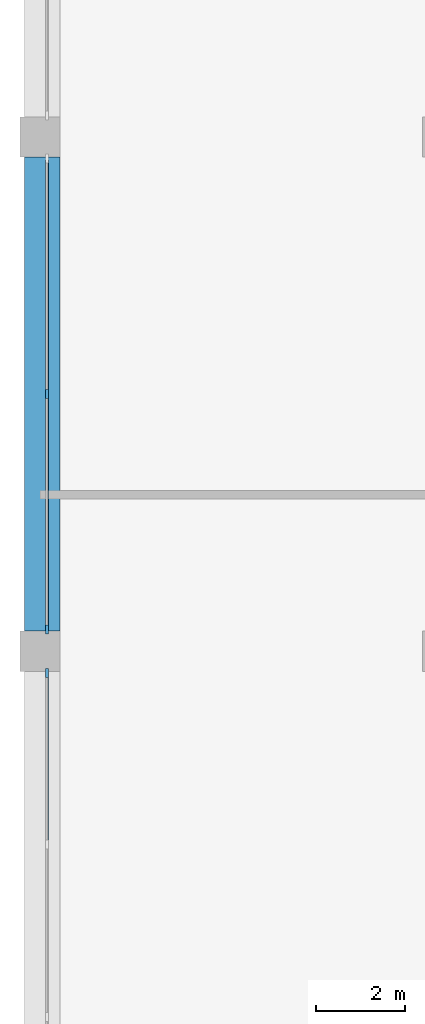
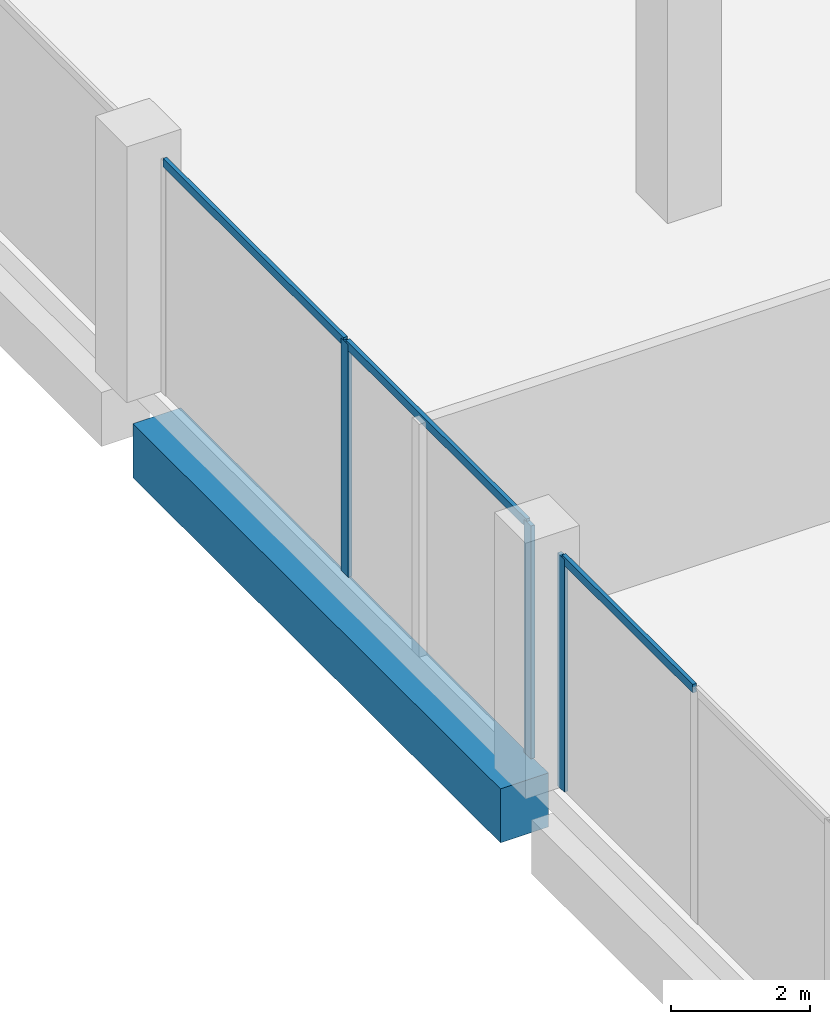
# One storey, part 4 of 22: 6 members, 1 beam, 2 elements without a shape of their own.
"""IFC4 building model written with IfcOpenShell, lengths in metres."""

from ifc_helpers import new_model, si_unit, direction, frame, origin, origin_2d, place, context, subcontext, project, spatial, rectangle, extrude, material, layer, layer_set, material_profile, profile_set, type_object, element, aggregate, save


model = new_model("IFC4")

# Units and contexts
model_context = context("Model", 3, precision=1e-05, world=origin(), true_north=direction((0.0, 1.0)))
body_context = subcontext(model_context, "Body", "Model", "MODEL_VIEW")
ifc_project = project(units=[si_unit("LENGTHUNIT", "METRE"), si_unit("AREAUNIT", "SQUARE_METRE"), si_unit("VOLUMEUNIT", "CUBIC_METRE"), si_unit("PLANEANGLEUNIT", "RADIAN"), si_unit("MASSUNIT", "GRAM", prefix="KILO")], contexts=[model_context])

# Site, building, storey
site_placement = place(None, origin())
site = spatial("IfcSite", under=ifc_project, at=site_placement, CompositionType="ELEMENT")
building_placement = place(site_placement, origin())
building = spatial("IfcBuilding", under=site, at=building_placement, Name="Brigalow Station Residences", CompositionType="ELEMENT")
storey_placement = place(building_placement, frame((0.0, 0.0, 6.5)))
storey = spatial("IfcBuildingStorey", under=building, at=storey_placement, Name="L01", CompositionType="ELEMENT", Elevation=6.5)

# Beam
ifc_material_1 = material(Name="Concrete C65", Category="concrete")
ifc_material_profile_1 = material_profile(ifc_material_1, rectangle(XDim=0.800048828125, YDim=0.949951171875, at=origin_2d()), Name="RC800x950")
ifc_profile_set_1 = profile_set([ifc_material_profile_1], Name="Concrete C65")
beam_type = type_object("IfcBeamType", Name="EDGE GIRDER OVER 9.9 M SPAN 800x950 C65", PredefinedType="BEAM", material=ifc_profile_set_1)
beam_placement = place(storey_placement, frame((-17.949951171875, 12.949951171875, -0.876953125), z_axis=(0.0, 1.0, 0.0), x_axis=(-1.0, 0.0, 0.0)))
element("IfcBeam", 1, at=beam_placement, inside=storey, type_object=beam_type, Name="PODIUM EDGE GIRDER W33 L01", PredefinedType="BEAM", context=body_context, shape_type="SweptSolid", body=[
    extrude(rectangle(XDim=0.800048828125, YDim=0.949951171875, at=origin_2d()), origin(), (0.0, 0.0, 1.0), 10.60009765625),
])

# Curtain wall, members
ifc_material_2 = material(Name="Aluminium", Category="aluminium")
ifc_layer = layer(ifc_material_2, 0.199951171875)
ifc_layer_set = layer_set([ifc_layer], Name="PODIUM UNITISED GLAZING CURTAIN WALL")
curtain_wall_type = type_object("IfcCurtainWallType", Name="PODIUM UNITISED GLAZING CURTAIN WALL", PredefinedType="NOTDEFINED", material=ifc_layer_set)
curtain_wall_1_placement = place(storey_placement, origin())
curtain_wall_1 = element("IfcCurtainWall", 2, at=curtain_wall_1_placement, inside=storey, type_object=curtain_wall_type, Name="L01/cw/podium-W-L01-31-20", PredefinedType="NOTDEFINED")
ifc_material_3 = material(Name="Aluminium", Category="aluminium")
ifc_material_profile_2 = material_profile(ifc_material_3, rectangle(XDim=0.06494140625, YDim=0.199951171875, at=origin_2d()), Name="PODIUM UNITISED GLAZING MULLION 65x200")
ifc_profile_set_2 = profile_set([ifc_material_profile_2], Name="Aluminium")
member_type_1 = type_object("IfcMemberType", Name="PODIUM UNITISED GLAZING MULLION 65x200", PredefinedType="MULLION", material=ifc_profile_set_2)
member_1_placement = place(storey_placement, frame((-17.85009765625, 18.25, 0.0), z_axis=(0.0, 0.0, 1.0), x_axis=(1.0, 0.0, 0.0)))
member_1 = element("IfcMember", 3, at=member_1_placement, type_object=member_type_1, Name="L01/cw/podium-W-L01-31-20/M01", PredefinedType="MULLION", context=body_context, shape_type="SweptSolid", body=[
    extrude(rectangle(XDim=0.06494140625, YDim=0.199951171875, at=origin_2d()), origin(), (0.0, 0.0, 1.0), 4.097900390625),
])
member_2_placement = place(storey_placement, frame((-17.85009765625, 12.982421875, 0.0), z_axis=(0.0, 0.0, 1.0), x_axis=(1.0, 0.0, 0.0)))
member_2 = element("IfcMember", 4, at=member_2_placement, type_object=member_type_1, Name="L01/cw/podium-W-L01-31-20/M02", PredefinedType="MULLION", context=body_context, shape_type="SweptSolid", body=[
    extrude(rectangle(XDim=0.06494140625, YDim=0.199951171875, at=origin_2d()), origin(), (0.0, 0.0, 1.0), 4.097900390625),
])

# Curtain wall, member
curtain_wall_2_placement = place(storey_placement, origin())
curtain_wall_2 = element("IfcCurtainWall", 5, at=curtain_wall_2_placement, inside=storey, type_object=curtain_wall_type, Name="L01/cw/podium-W-L01-31-21", PredefinedType="NOTDEFINED")
member_3_placement = place(storey_placement, frame((-17.85009765625, 12.017578125, 0.0), z_axis=(0.0, 0.0, 1.0), x_axis=(1.0, 0.0, 0.0)))
member_3 = element("IfcMember", 6, at=member_3_placement, type_object=member_type_1, Name="L01/cw/podium-W-L01-31-21/M00", PredefinedType="MULLION", context=body_context, shape_type="SweptSolid", body=[
    extrude(rectangle(XDim=0.06494140625, YDim=0.199951171875, at=origin_2d()), origin(), (0.0, 0.0, 1.0), 4.097900390625),
])

# Member
ifc_material_4 = material(Name="Aluminium", Category="aluminium")
ifc_material_profile_3 = material_profile(ifc_material_4, rectangle(XDim=0.06494140625, YDim=0.14990234375, at=origin_2d()), Name="PODIUM UNITISED GLAZING TRANSOM 65x150")
ifc_profile_set_3 = profile_set([ifc_material_profile_3], Name="Aluminium")
member_type_2 = type_object("IfcMemberType", Name="PODIUM UNITISED GLAZING TRANSOM 65x150", PredefinedType="USERDEFINED", material=ifc_profile_set_3)
member_4_placement = place(storey_placement, frame((-17.85009765625, 23.485107421875, 4.0654296875), z_axis=(0.0, -1.0, 0.0), x_axis=(1.0, 0.0, 0.0)))
member_4 = element("IfcMember", 7, at=member_4_placement, type_object=member_type_2, Name="L01/cw/podium-W-L01-31-20/T00-00", ObjectType="TRANSOM", PredefinedType="USERDEFINED", context=body_context, shape_type="SweptSolid", body=[
    extrude(rectangle(XDim=0.06494140625, YDim=0.14990234375, at=origin_2d()), origin(), (0.0, 0.0, 1.0), 5.20263671875),
])

member_5_placement = place(storey_placement, frame((-17.85009765625, 18.217529296875, 4.0654296875), z_axis=(0.0, -1.0, 0.0), x_axis=(1.0, 0.0, 0.0)))
member_5 = element("IfcMember", 8, at=member_5_placement, type_object=member_type_2, Name="L01/cw/podium-W-L01-31-20/T01-00", ObjectType="TRANSOM", PredefinedType="USERDEFINED", context=body_context, shape_type="SweptSolid", body=[
    extrude(rectangle(XDim=0.06494140625, YDim=0.14990234375, at=origin_2d()), origin(), (0.0, 0.0, 1.0), 5.20263671875),
])

aggregate(curtain_wall_1, [member_1, member_2, member_4, member_5])

member_6_placement = place(storey_placement, frame((-17.85009765625, 11.985107421875, 4.0654296875), z_axis=(0.0, -1.0, 0.0), x_axis=(1.0, 0.0, 0.0)))
member_6 = element("IfcMember", 9, at=member_6_placement, type_object=member_type_2, Name="L01/cw/podium-W-L01-31-21/T00-00", ObjectType="TRANSOM", PredefinedType="USERDEFINED", context=body_context, shape_type="SweptSolid", body=[
    extrude(rectangle(XDim=0.06494140625, YDim=0.14990234375, at=origin_2d()), origin(), (0.0, 0.0, 1.0), 3.769287109375),
])

aggregate(curtain_wall_2, [member_3, member_6])

save(model, "model.ifc")
